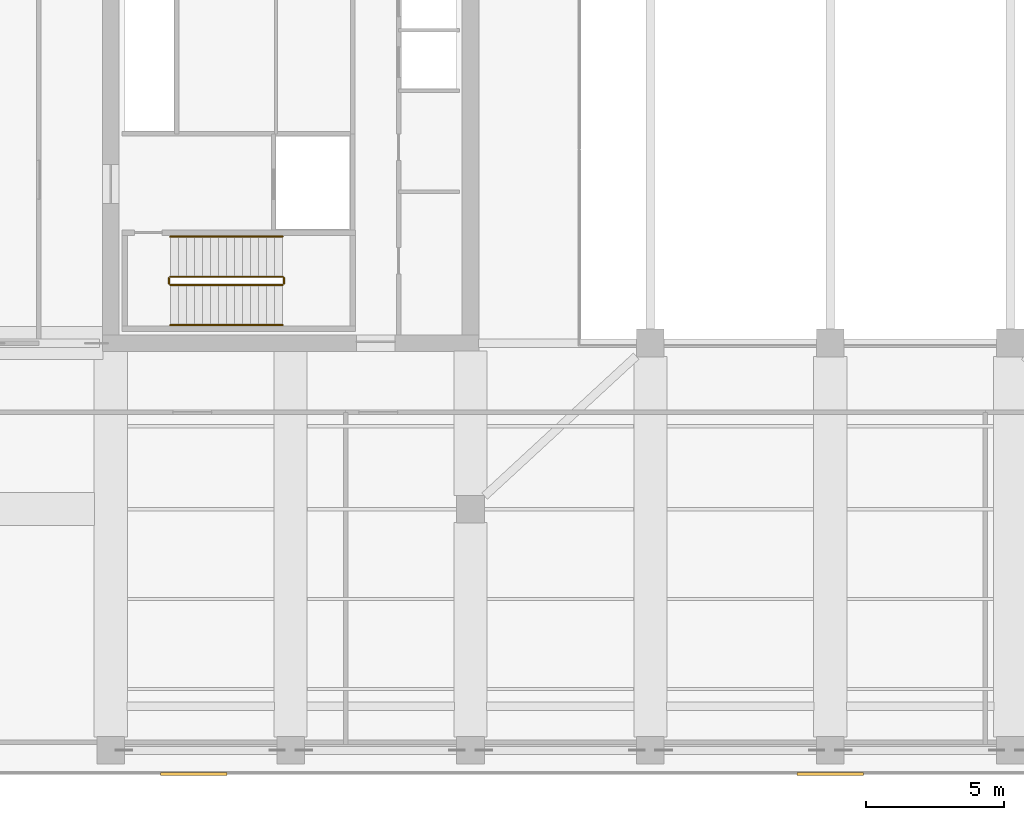
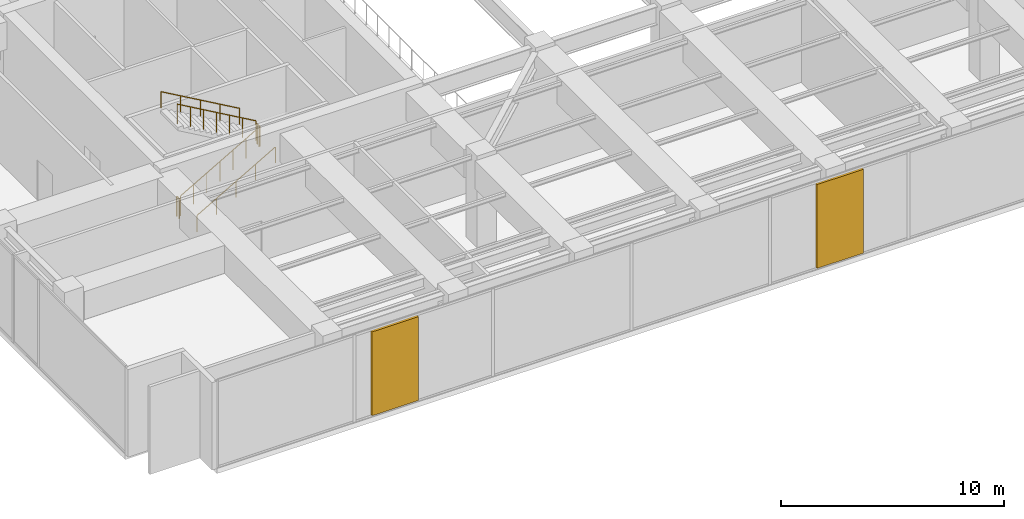
# One storey, part 25 of 28: 6 railings, 2 shading devices.
"""IFC4 building model written with IfcOpenShell, lengths in metres."""

from ifc_helpers import new_model, si_unit, direction, frame, origin, origin_2d, place, context, subcontext, project, spatial, rectangle, circle, extrude, material, layer, layer_set, type_object, element, save


model = new_model("IFC4")

# Units and contexts
model_context = context("Model", 3, precision=1e-05, world=origin(), true_north=direction((0.0, 1.0)))
body_context = subcontext(model_context, "Body", "Model", "MODEL_VIEW")
ifc_project = project(units=[si_unit("LENGTHUNIT", "METRE"), si_unit("AREAUNIT", "SQUARE_METRE"), si_unit("VOLUMEUNIT", "CUBIC_METRE"), si_unit("PLANEANGLEUNIT", "RADIAN"), si_unit("MASSUNIT", "GRAM", prefix="KILO")], contexts=[model_context])

# Site, building, storey
site_placement = place(None, origin())
site = spatial("IfcSite", under=ifc_project, at=site_placement, CompositionType="ELEMENT")
building_placement = place(site_placement, origin())
building = spatial("IfcBuilding", under=site, at=building_placement, Name="Putna Gate Headquarters", CompositionType="ELEMENT")
storey_placement = place(building_placement, frame((0.0, 0.0, 197.39990234375)))
storey = spatial("IfcBuildingStorey", under=building, at=storey_placement, Name="L49", CompositionType="ELEMENT", Elevation=197.39990234375)

# Railings
ifc_material_1 = material(Name="Powder-coated steel stair guardrail", Category="steel")
railing_type_1 = type_object("IfcRailingType", Name="RAIL-STAIR-GUARD-1100", PredefinedType="GUARDRAIL", material=ifc_material_1)
railing_1_placement = place(storey_placement, frame((15.14990234375, 21.10009765625, 0.166748046875)))
element("IfcRailing", 1, at=railing_1_placement, inside=storey, type_object=railing_type_1, Name="L49 ST1 stair guard 1", PredefinedType="GUARDRAIL", context=body_context, shape_type="SweptSolid", body=[
    extrude(circle(Radius=0.02392578125, at=origin_2d()), frame((0.0, 0.0, 1.076171875), z_axis=(0.867024558463, 0.0, 0.498265406207), x_axis=(0.0, 1.0, 0.0)), (0.0, 0.0, 1.0), 4.682861328125),
    extrude(circle(Radius=0.02099609375, at=origin_2d()), origin(), (0.0, 0.0, 1.0), 1.052001953125),
    extrude(circle(Radius=0.02099609375, at=origin_2d()), frame((0.6767578125, 0.0, 0.388916015625)), (0.0, 0.0, 1.0), 1.052001953125),
    extrude(circle(Radius=0.02099609375, at=origin_2d()), frame((1.353271484375, 0.0, 0.77783203125)), (0.0, 0.0, 1.0), 1.052001953125),
    extrude(circle(Radius=0.02099609375, at=origin_2d()), frame((2.030029296875, 0.0, 1.16650390625)), (0.0, 0.0, 1.0), 1.052001953125),
    extrude(circle(Radius=0.02099609375, at=origin_2d()), frame((2.706787109375, 0.0, 1.555419921875)), (0.0, 0.0, 1.0), 1.052001953125),
    extrude(circle(Radius=0.02099609375, at=origin_2d()), frame((3.38330078125, 0.0, 1.9443359375)), (0.0, 0.0, 1.0), 1.052001953125),
    extrude(circle(Radius=0.02099609375, at=origin_2d()), frame((4.06005859375, 0.0, 2.333251953125)), (0.0, 0.0, 1.0), 1.052001953125),
])
railing_2_placement = place(storey_placement, frame((19.260009765625, 21.14990234375, 2.5)))
element("IfcRailing", 2, at=railing_2_placement, inside=storey, type_object=railing_type_1, Name="L49 ST1 stair guard 2", PredefinedType="GUARDRAIL", context=body_context, shape_type="SweptSolid", body=[
    extrude(circle(Radius=0.02392578125, at=origin_2d()), frame((0.0, 0.0, 1.076171875), z_axis=(0.0, 1.0, 0.0), x_axis=(-1.0, 0.0, 0.0)), (0.0, 0.0, 1.0), 0.2001953125),
    extrude(circle(Radius=0.02099609375, at=origin_2d()), origin(), (0.0, 0.0, 1.0), 1.052001953125),
    extrude(circle(Radius=0.02099609375, at=origin_2d()), frame((0.0, 0.2001953125, 0.0)), (0.0, 0.0, 1.0), 1.052001953125),
])
railing_3_placement = place(storey_placement, frame((19.2099609375, 21.39990234375, 2.666748046875)))
element("IfcRailing", 3, at=railing_3_placement, inside=storey, type_object=railing_type_1, Name="L49 ST1 stair guard 3", PredefinedType="GUARDRAIL", context=body_context, shape_type="SweptSolid", body=[
    extrude(circle(Radius=0.02392578125, at=origin_2d()), frame((0.0, 0.0, 1.076171875), z_axis=(-0.867024558463, 0.0, 0.498265406207), x_axis=(0.0, -1.0, 0.0)), (0.0, 0.0, 1.0), 4.682861328125),
    extrude(circle(Radius=0.02099609375, at=origin_2d()), origin(), (0.0, 0.0, 1.0), 1.052001953125),
    extrude(circle(Radius=0.02099609375, at=origin_2d()), frame((-0.6767578125, 0.0, 0.388916015625)), (0.0, 0.0, 1.0), 1.052001953125),
    extrude(circle(Radius=0.02099609375, at=origin_2d()), frame((-1.353271484375, 0.0, 0.77783203125)), (0.0, 0.0, 1.0), 1.052001953125),
    extrude(circle(Radius=0.02099609375, at=origin_2d()), frame((-2.030029296875, 0.0, 1.16650390625)), (0.0, 0.0, 1.0), 1.052001953125),
    extrude(circle(Radius=0.02099609375, at=origin_2d()), frame((-2.706787109375, 0.0, 1.555419921875)), (0.0, 0.0, 1.0), 1.052001953125),
    extrude(circle(Radius=0.02099609375, at=origin_2d()), frame((-3.38330078125, 0.0, 1.9443359375)), (0.0, 0.0, 1.0), 1.052001953125),
    extrude(circle(Radius=0.02099609375, at=origin_2d()), frame((-4.06005859375, 0.0, 2.333251953125)), (0.0, 0.0, 1.0), 1.052001953125),
])
railing_4_placement = place(storey_placement, frame((15.10009765625, 21.14990234375, 0.0)))
element("IfcRailing", 4, at=railing_4_placement, inside=storey, type_object=railing_type_1, Name="L49 ST1 stair guard 4", PredefinedType="GUARDRAIL", context=body_context, shape_type="SweptSolid", body=[
    extrude(circle(Radius=0.02392578125, at=origin_2d()), frame((0.0, 0.0, 1.076171875), z_axis=(0.0, 1.0, 0.0), x_axis=(-1.0, 0.0, 0.0)), (0.0, 0.0, 1.0), 0.2001953125),
    extrude(circle(Radius=0.02099609375, at=origin_2d()), origin(), (0.0, 0.0, 1.0), 1.052001953125),
    extrude(circle(Radius=0.02099609375, at=origin_2d()), frame((0.0, 0.2001953125, 0.0)), (0.0, 0.0, 1.0), 1.052001953125),
])
ifc_material_2 = material(Name="Brushed stainless steel handrail", Category="steel")
railing_type_2 = type_object("IfcRailingType", Name="RAIL-STAIR-HAND-900", PredefinedType="HANDRAIL", material=ifc_material_2)
railing_5_placement = place(storey_placement, frame((15.14990234375, 19.64990234375, 0.166748046875)))
element("IfcRailing", 5, at=railing_5_placement, inside=storey, type_object=railing_type_2, Name="L49 ST1 stair handrail 1", PredefinedType="HANDRAIL", context=body_context, shape_type="SweptSolid", body=[
    extrude(circle(Radius=0.02392578125, at=origin_2d()), frame((0.0, 0.0, 0.8759765625), z_axis=(0.867024558463, 0.0, 0.498265406207), x_axis=(0.0, 1.0, 0.0)), (0.0, 0.0, 1.0), 4.682861328125),
    extrude(circle(Radius=0.02099609375, at=origin_2d()), origin(), (0.0, 0.0, 1.0), 0.851806640625),
    extrude(circle(Radius=0.02099609375, at=origin_2d()), frame((1.01513671875, 0.0, 0.583251953125)), (0.0, 0.0, 1.0), 0.851806640625),
    extrude(circle(Radius=0.02099609375, at=origin_2d()), frame((2.030029296875, 0.0, 1.16650390625)), (0.0, 0.0, 1.0), 0.851806640625),
    extrude(circle(Radius=0.02099609375, at=origin_2d()), frame((3.044921875, 0.0, 1.75)), (0.0, 0.0, 1.0), 0.851806640625),
    extrude(circle(Radius=0.02099609375, at=origin_2d()), frame((4.06005859375, 0.0, 2.333251953125)), (0.0, 0.0, 1.0), 0.851806640625),
])
railing_6_placement = place(storey_placement, frame((19.2099609375, 22.85009765625, 2.666748046875)))
element("IfcRailing", 6, at=railing_6_placement, inside=storey, type_object=railing_type_2, Name="L49 ST1 stair handrail 2", PredefinedType="HANDRAIL", context=body_context, shape_type="SweptSolid", body=[
    extrude(circle(Radius=0.02392578125, at=origin_2d()), frame((0.0, 0.0, 0.8759765625), z_axis=(-0.867024558463, 0.0, 0.498265406207), x_axis=(0.0, -1.0, 0.0)), (0.0, 0.0, 1.0), 4.682861328125),
    extrude(circle(Radius=0.02099609375, at=origin_2d()), origin(), (0.0, 0.0, 1.0), 0.851806640625),
    extrude(circle(Radius=0.02099609375, at=origin_2d()), frame((-1.01513671875, 0.0, 0.583251953125)), (0.0, 0.0, 1.0), 0.851806640625),
    extrude(circle(Radius=0.02099609375, at=origin_2d()), frame((-2.030029296875, 0.0, 1.16650390625)), (0.0, 0.0, 1.0), 0.851806640625),
    extrude(circle(Radius=0.02099609375, at=origin_2d()), frame((-3.044921875, 0.0, 1.75)), (0.0, 0.0, 1.0), 0.851806640625),
    extrude(circle(Radius=0.02099609375, at=origin_2d()), frame((-4.06005859375, 0.0, 2.333251953125)), (0.0, 0.0, 1.0), 0.851806640625),
])

# Shading devices
ifc_material_3 = material(Name="Anodised bronze acoustic weather louvre", Category="aluminium")
ifc_layer = layer(ifc_material_3, 0.1201171875)
ifc_layer_set = layer_set([ifc_layer], Name="Anodised bronze acoustic weather louvre")
shading_device_type = type_object("IfcShadingDeviceType", Name="SHADE-PLANT-LOUVRE", PredefinedType="JALOUSIE", material=ifc_layer_set)
for number, where, z_axis, x_axis, name in (
    (7, (16.0, 3.429931640625, 0.10009765625), (0.0, 0.0, 1.0), (1.0, 0.0, 0.0), "L49 Bronze Acoustic Louvre S1"),
    (8, (39.0, 3.429931640625, 0.10009765625), (0.0, 0.0, 1.0), (1.0, 0.0, 0.0), "L49 Bronze Acoustic Louvre S2"),
):
    element("IfcShadingDevice", number, at=place(storey_placement, frame(where, z_axis=z_axis, x_axis=x_axis)), inside=storey, type_object=shading_device_type, Name=name, PredefinedType="JALOUSIE", context=body_context, shape_type="SweptSolid", body=[
        extrude(rectangle(XDim=2.39990234375, YDim=0.1201171875, at=origin_2d()), origin(), (0.0, 0.0, 1.0), 4.580078125),
    ])

save(model, "model.ifc")
